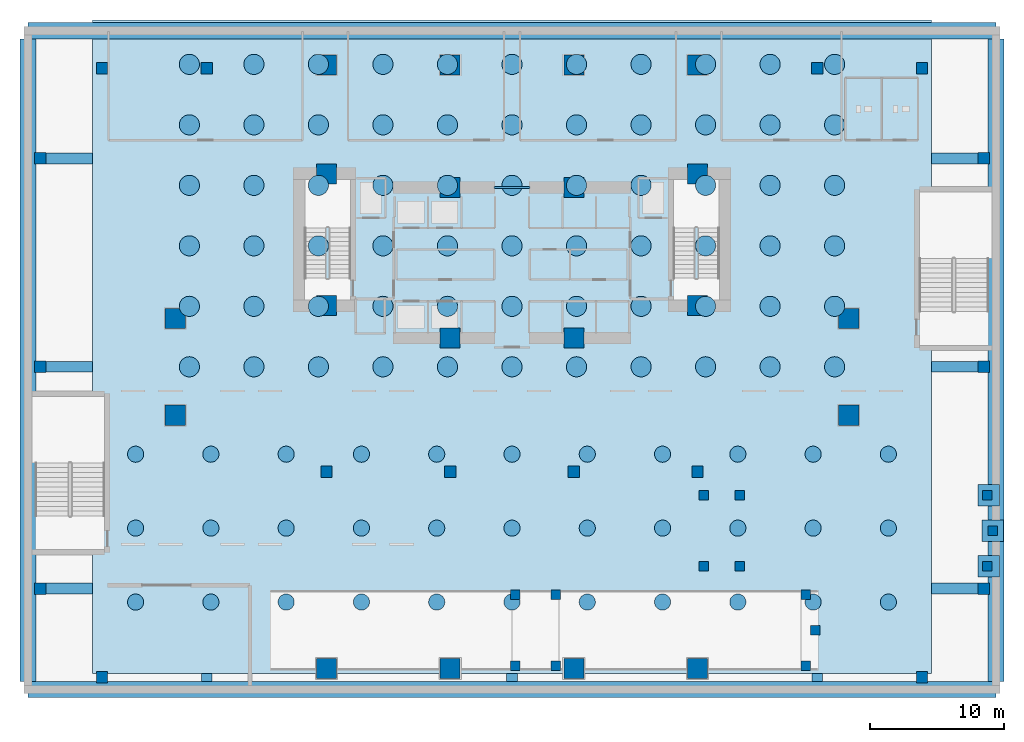
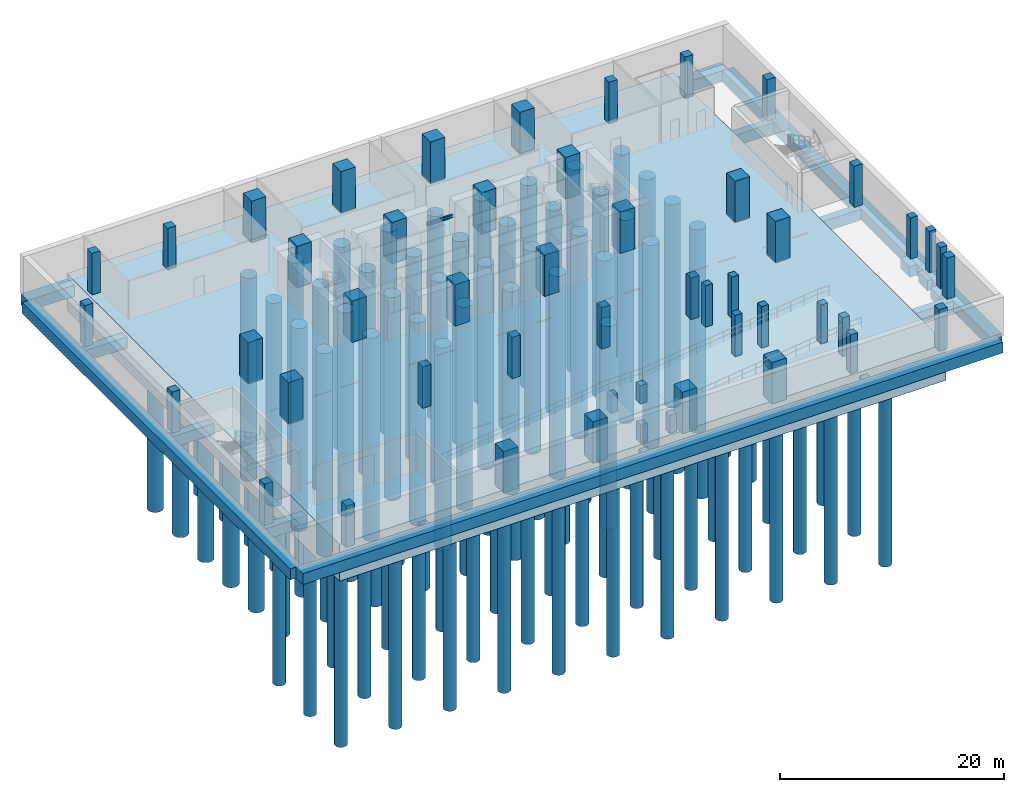
# One storey, part 1 of 13: 99 piles, 50 columns, 17 footings, 1 beam.
"""IFC4 building model written with IfcOpenShell, lengths in metres."""

from ifc_helpers import new_model, si_unit, direction, frame, origin, origin_2d, place, context, subcontext, project, spatial, polyline, rectangle, circle, i_section, outline, extrude, material, layer, layer_set, material_profile, profile_set, type_object, element, save


model = new_model("IFC4")

# Units and contexts
model_context = context("Model", 3, precision=1e-05, world=origin(), true_north=direction((0.0, 1.0)))
body_context = subcontext(model_context, "Body", "Model", "MODEL_VIEW")
ifc_project = project(units=[si_unit("LENGTHUNIT", "METRE"), si_unit("AREAUNIT", "SQUARE_METRE"), si_unit("VOLUMEUNIT", "CUBIC_METRE"), si_unit("PLANEANGLEUNIT", "RADIAN"), si_unit("MASSUNIT", "GRAM", prefix="KILO")], contexts=[model_context])

# Site, building, storey
site_placement = place(None, origin())
site = spatial("IfcSite", under=ifc_project, at=site_placement, CompositionType="ELEMENT")
building_placement = place(site_placement, origin())
building = spatial("IfcBuilding", under=site, at=building_placement, Name="Zuhayl Quay Hotel", CompositionType="ELEMENT")
storey_placement = place(building_placement, frame((0.0, 0.0, -9.0)))
storey = spatial("IfcBuildingStorey", under=building, at=storey_placement, Name="B2", CompositionType="ELEMENT", Elevation=-9.0)

# Footings
ifc_material_1 = material(Name="Concrete C50/60", Category="concrete")
footing_type_1 = type_object("IfcFootingType", Name="FT_GBEAM_800X1200", PredefinedType="FOOTING_BEAM", material=ifc_material_1)
footing_1_placement = place(storey_placement, frame((0.0, 0.0, -1.6201171875)))
element("IfcFooting", 1, at=footing_1_placement, inside=storey, type_object=footing_type_1, Name="Foundation Ground Beam FB1-01", PredefinedType="FOOTING_BEAM", context=body_context, shape_type="SweptSolid", body=[
    extrude(outline(polyline([(-35.39990234375, -16.89990234375), (-31.199951171875, -16.89990234375), (-31.199951171875, -16.10009765625), (-35.39990234375, -16.10009765625), (-35.39990234375, -16.89990234375)])), origin(), (0.0, 0.0, 1.0), 1.2001953125),
])
footing_2_placement = place(storey_placement, frame((0.0, 0.0, -1.6201171875)))
element("IfcFooting", 2, at=footing_2_placement, inside=storey, type_object=footing_type_1, Name="Foundation Ground Beam FB1-02", PredefinedType="FOOTING_BEAM", context=body_context, shape_type="SweptSolid", body=[
    extrude(outline(polyline([(31.199951171875, -16.89990234375), (35.39990234375, -16.89990234375), (35.39990234375, -16.10009765625), (31.199951171875, -16.10009765625), (31.199951171875, -16.89990234375)])), origin(), (0.0, 0.0, 1.0), 1.2001953125),
])
footing_3_placement = place(storey_placement, frame((0.0, 0.0, -1.6201171875)))
element("IfcFooting", 3, at=footing_3_placement, inside=storey, type_object=footing_type_1, Name="Foundation Ground Beam FB1-03", PredefinedType="FOOTING_BEAM", context=body_context, shape_type="SweptSolid", body=[
    extrude(outline(polyline([(-35.39990234375, -0.39990234375), (-31.199951171875, -0.39990234375), (-31.199951171875, 0.39990234375), (-35.39990234375, 0.39990234375), (-35.39990234375, -0.39990234375)])), origin(), (0.0, 0.0, 1.0), 1.2001953125),
])
footing_4_placement = place(storey_placement, frame((0.0, 0.0, -1.6201171875)))
element("IfcFooting", 4, at=footing_4_placement, inside=storey, type_object=footing_type_1, Name="Foundation Ground Beam FB1-04", PredefinedType="FOOTING_BEAM", context=body_context, shape_type="SweptSolid", body=[
    extrude(outline(polyline([(31.199951171875, -0.39990234375), (35.39990234375, -0.39990234375), (35.39990234375, 0.39990234375), (31.199951171875, 0.39990234375), (31.199951171875, -0.39990234375)])), origin(), (0.0, 0.0, 1.0), 1.2001953125),
])
footing_5_placement = place(storey_placement, frame((0.0, 0.0, -1.6201171875)))
element("IfcFooting", 5, at=footing_5_placement, inside=storey, type_object=footing_type_1, Name="Foundation Ground Beam FB1-05", PredefinedType="FOOTING_BEAM", context=body_context, shape_type="SweptSolid", body=[
    extrude(outline(polyline([(-35.39990234375, 15.10009765625), (-31.199951171875, 15.10009765625), (-31.199951171875, 15.89990234375), (-35.39990234375, 15.89990234375), (-35.39990234375, 15.10009765625)])), origin(), (0.0, 0.0, 1.0), 1.2001953125),
])
footing_6_placement = place(storey_placement, frame((0.0, 0.0, -1.6201171875)))
element("IfcFooting", 6, at=footing_6_placement, inside=storey, type_object=footing_type_1, Name="Foundation Ground Beam FB1-06", PredefinedType="FOOTING_BEAM", context=body_context, shape_type="SweptSolid", body=[
    extrude(outline(polyline([(31.199951171875, 15.10009765625), (35.39990234375, 15.10009765625), (35.39990234375, 15.89990234375), (31.199951171875, 15.89990234375), (31.199951171875, 15.10009765625)])), origin(), (0.0, 0.0, 1.0), 1.2001953125),
])
footing_7_placement = place(storey_placement, frame((0.0, 0.0, -1.6201171875)))
element("IfcFooting", 7, at=footing_7_placement, inside=storey, type_object=footing_type_1, Name="Foundation Ground Beam FB1-07", PredefinedType="FOOTING_BEAM", context=body_context, shape_type="SweptSolid", body=[
    extrude(outline(polyline([(-23.10009765625, -23.39990234375), (-22.300048828125, -23.39990234375), (-22.300048828125, -22.800048828125), (-23.10009765625, -22.800048828125), (-23.10009765625, -23.39990234375)])), origin(), (0.0, 0.0, 1.0), 1.2001953125),
])
footing_8_placement = place(storey_placement, frame((0.0, 0.0, -1.6201171875)))
element("IfcFooting", 8, at=footing_8_placement, inside=storey, type_object=footing_type_1, Name="Foundation Ground Beam FB1-08", PredefinedType="FOOTING_BEAM", context=body_context, shape_type="SweptSolid", body=[
    extrude(outline(polyline([(-0.39990234375, -23.39990234375), (0.39990234375, -23.39990234375), (0.39990234375, -22.800048828125), (-0.39990234375, -22.800048828125), (-0.39990234375, -23.39990234375)])), origin(), (0.0, 0.0, 1.0), 1.2001953125),
])
footing_9_placement = place(storey_placement, frame((0.0, 0.0, -1.6201171875)))
element("IfcFooting", 9, at=footing_9_placement, inside=storey, type_object=footing_type_1, Name="Foundation Ground Beam FB1-09", PredefinedType="FOOTING_BEAM", context=body_context, shape_type="SweptSolid", body=[
    extrude(outline(polyline([(22.300048828125, -23.39990234375), (23.10009765625, -23.39990234375), (23.10009765625, -22.800048828125), (22.300048828125, -22.800048828125), (22.300048828125, -23.39990234375)])), origin(), (0.0, 0.0, 1.0), 1.2001953125),
])
ifc_material_2 = material(Name="Concrete C60/75", Category="concrete")
ifc_layer_1 = layer(ifc_material_2, 1.14990234375, Name="Concrete C60/75", Category="concrete")
ifc_layer_set_1 = layer_set([ifc_layer_1], Name="Concrete C60/75")
footing_type_2 = type_object("IfcFootingType", Name="FT_PAD_1600", PredefinedType="PAD_FOOTING", material=ifc_layer_set_1)
for number, where, z_axis, x_axis, name in (
    (10, (35.449951171875, -14.85009765625, -1.570068359375), (0.0, 0.0, 1.0), (1.0, 0.0, 0.0), "Promenade Apron Support Pad RARR_FTG1"),
    (11, (35.449951171875, -9.550048828125, -1.570068359375), (0.0, 0.0, 1.0), (1.0, 0.0, 0.0), "Promenade Apron Support Pad RARR_FTG2"),
    (12, (35.75, -12.199951171875, -1.570068359375), (0.0, 0.0, 1.0), (1.0, 0.0, 0.0), "Promenade Apron Support Pad RARR_FTG3"),
):
    element("IfcFooting", number, at=place(storey_placement, frame(where, z_axis=z_axis, x_axis=x_axis)), inside=storey, type_object=footing_type_2, Name=name, PredefinedType="PAD_FOOTING", context=body_context, shape_type="SweptSolid", body=[
        extrude(rectangle(XDim=1.60009765625, YDim=1.60009765625, at=origin_2d()), origin(), (0.0, 0.0, 1.0), 1.14990234375),
    ])
ifc_layer_2 = layer(ifc_material_1, 4.0, Name="Concrete C50/60", Category="concrete")
ifc_layer_set_2 = layer_set([ifc_layer_2], Name="Concrete C50/60")
footing_type_3 = type_object("IfcFootingType", Name="FT_RAFT_4000", PredefinedType="USERDEFINED", material=ifc_layer_set_2)
footing_10_placement = place(storey_placement, frame((0.0, 0.0, -4.0)))
element("IfcFooting", 13, at=footing_10_placement, inside=storey, type_object=footing_type_3, Name="Piled Foundation Raft RF1", ObjectType="RAFT", PredefinedType="USERDEFINED", context=body_context, shape_type="SweptSolid", body=[
    extrude(outline(polyline([(-31.199951171875, -22.800048828125), (31.199951171875, -22.800048828125), (31.199951171875, 25.800048828125), (-31.199951171875, 25.800048828125), (-31.199951171875, -22.800048828125)])), origin(), (0.0, 0.0, 1.0), 4.0),
])
footing_type_4 = type_object("IfcFootingType", Name="FT_STRIP_1200", PredefinedType="STRIP_FOOTING", material=ifc_material_1)
footing_11_placement = place(storey_placement, frame((0.0, 0.0, -1.6201171875)))
element("IfcFooting", 14, at=footing_11_placement, inside=storey, type_object=footing_type_4, Name="Perimeter Strip Footing SF1_S", PredefinedType="STRIP_FOOTING", context=body_context, shape_type="SweptSolid", body=[
    extrude(outline(polyline([(-36.0, -24.60009765625), (36.0, -24.60009765625), (36.0, -23.39990234375), (-36.0, -23.39990234375), (-36.0, -24.60009765625)])), origin(), (0.0, 0.0, 1.0), 1.2001953125),
])
footing_12_placement = place(storey_placement, frame((0.0, 0.0, -1.6201171875)))
element("IfcFooting", 15, at=footing_12_placement, inside=storey, type_object=footing_type_4, Name="Perimeter Strip Footing SF1_N", PredefinedType="STRIP_FOOTING", context=body_context, shape_type="SweptSolid", body=[
    extrude(outline(polyline([(-36.0, 24.39990234375), (36.0, 24.39990234375), (36.0, 25.60009765625), (-36.0, 25.60009765625), (-36.0, 24.39990234375)])), origin(), (0.0, 0.0, 1.0), 1.2001953125),
])
footing_13_placement = place(storey_placement, frame((0.0, 0.0, -1.6201171875)))
element("IfcFooting", 16, at=footing_13_placement, inside=storey, type_object=footing_type_4, Name="Perimeter Strip Footing SF1_W", PredefinedType="STRIP_FOOTING", context=body_context, shape_type="SweptSolid", body=[
    extrude(outline(polyline([(-36.60009765625, -23.39990234375), (-35.39990234375, -23.39990234375), (-35.39990234375, 24.39990234375), (-36.60009765625, 24.39990234375), (-36.60009765625, -23.39990234375)])), origin(), (0.0, 0.0, 1.0), 1.2001953125),
])
footing_14_placement = place(storey_placement, frame((0.0, 0.0, -1.6201171875)))
element("IfcFooting", 17, at=footing_14_placement, inside=storey, type_object=footing_type_4, Name="Perimeter Strip Footing SF1_E", PredefinedType="STRIP_FOOTING", context=body_context, shape_type="SweptSolid", body=[
    extrude(outline(polyline([(35.39990234375, -23.39990234375), (36.60009765625, -23.39990234375), (36.60009765625, 24.39990234375), (35.39990234375, 24.39990234375), (35.39990234375, -23.39990234375)])), origin(), (0.0, 0.0, 1.0), 1.2001953125),
])

# Piles
ifc_material_profile_1 = material_profile(ifc_material_2, circle(Radius=0.60009765625, at=origin_2d()), Name="PILE1200")
ifc_profile_set_1 = profile_set([ifc_material_profile_1], Name="Concrete C60/75")
pile_type_1 = type_object("IfcPileType", Name="PL_BORED_1200", PredefinedType="BORED", material=ifc_profile_set_1)
for number, where, z_axis, x_axis, name in (
    (18, (-28.0, -17.5, -3.89990234375), (0.0, 0.0, -1.0), (1.0, 0.0, 0.0), "Bored Pile BP2-001"),
    (19, (-28.0, -12.0, -3.89990234375), (0.0, 0.0, -1.0), (1.0, 0.0, 0.0), "Bored Pile BP2-002"),
    (20, (-28.0, -6.5, -3.89990234375), (0.0, 0.0, -1.0), (1.0, 0.0, 0.0), "Bored Pile BP2-003"),
    (21, (-22.39990234375, -17.5, -3.89990234375), (0.0, 0.0, -1.0), (1.0, 0.0, 0.0), "Bored Pile BP2-004"),
    (22, (-22.39990234375, -12.0, -3.89990234375), (0.0, 0.0, -1.0), (1.0, 0.0, 0.0), "Bored Pile BP2-005"),
    (23, (-22.39990234375, -6.5, -3.89990234375), (0.0, 0.0, -1.0), (1.0, 0.0, 0.0), "Bored Pile BP2-006"),
    (24, (-16.800048828125, -17.5, -3.89990234375), (0.0, 0.0, -1.0), (1.0, 0.0, 0.0), "Bored Pile BP2-007"),
    (25, (-16.800048828125, -12.0, -3.89990234375), (0.0, 0.0, -1.0), (1.0, 0.0, 0.0), "Bored Pile BP2-008"),
    (26, (-16.800048828125, -6.5, -3.89990234375), (0.0, 0.0, -1.0), (1.0, 0.0, 0.0), "Bored Pile BP2-009"),
    (27, (-11.199951171875, -17.5, -3.89990234375), (0.0, 0.0, -1.0), (1.0, 0.0, 0.0), "Bored Pile BP2-010"),
    (28, (-11.199951171875, -12.0, -3.89990234375), (0.0, 0.0, -1.0), (1.0, 0.0, 0.0), "Bored Pile BP2-011"),
    (29, (-11.199951171875, -6.5, -3.89990234375), (0.0, 0.0, -1.0), (1.0, 0.0, 0.0), "Bored Pile BP2-012"),
    (30, (-5.60009765625, -17.5, -3.89990234375), (0.0, 0.0, -1.0), (1.0, 0.0, 0.0), "Bored Pile BP2-013"),
    (31, (-5.60009765625, -12.0, -3.89990234375), (0.0, 0.0, -1.0), (1.0, 0.0, 0.0), "Bored Pile BP2-014"),
    (32, (-5.60009765625, -6.5, -3.89990234375), (0.0, 0.0, -1.0), (1.0, 0.0, 0.0), "Bored Pile BP2-015"),
    (33, (0.0, -17.5, -3.89990234375), (0.0, 0.0, -1.0), (1.0, 0.0, 0.0), "Bored Pile BP2-016"),
    (34, (0.0, -12.0, -3.89990234375), (0.0, 0.0, -1.0), (1.0, 0.0, 0.0), "Bored Pile BP2-017"),
    (35, (0.0, -6.5, -3.89990234375), (0.0, 0.0, -1.0), (1.0, 0.0, 0.0), "Bored Pile BP2-018"),
    (36, (5.60009765625, -17.5, -3.89990234375), (0.0, 0.0, -1.0), (1.0, 0.0, 0.0), "Bored Pile BP2-019"),
    (37, (5.60009765625, -12.0, -3.89990234375), (0.0, 0.0, -1.0), (1.0, 0.0, 0.0), "Bored Pile BP2-020"),
    (38, (5.60009765625, -6.5, -3.89990234375), (0.0, 0.0, -1.0), (1.0, 0.0, 0.0), "Bored Pile BP2-021"),
    (39, (11.199951171875, -17.5, -3.89990234375), (0.0, 0.0, -1.0), (1.0, 0.0, 0.0), "Bored Pile BP2-022"),
    (40, (11.199951171875, -12.0, -3.89990234375), (0.0, 0.0, -1.0), (1.0, 0.0, 0.0), "Bored Pile BP2-023"),
    (41, (11.199951171875, -6.5, -3.89990234375), (0.0, 0.0, -1.0), (1.0, 0.0, 0.0), "Bored Pile BP2-024"),
    (42, (16.800048828125, -17.5, -3.89990234375), (0.0, 0.0, -1.0), (1.0, 0.0, 0.0), "Bored Pile BP2-025"),
    (43, (16.800048828125, -12.0, -3.89990234375), (0.0, 0.0, -1.0), (1.0, 0.0, 0.0), "Bored Pile BP2-026"),
    (44, (16.800048828125, -6.5, -3.89990234375), (0.0, 0.0, -1.0), (1.0, 0.0, 0.0), "Bored Pile BP2-027"),
    (45, (22.39990234375, -17.5, -3.89990234375), (0.0, 0.0, -1.0), (1.0, 0.0, 0.0), "Bored Pile BP2-028"),
    (46, (22.39990234375, -12.0, -3.89990234375), (0.0, 0.0, -1.0), (1.0, 0.0, 0.0), "Bored Pile BP2-029"),
    (47, (22.39990234375, -6.5, -3.89990234375), (0.0, 0.0, -1.0), (1.0, 0.0, 0.0), "Bored Pile BP2-030"),
    (48, (28.0, -17.5, -3.89990234375), (0.0, 0.0, -1.0), (1.0, 0.0, 0.0), "Bored Pile BP2-031"),
    (49, (28.0, -12.0, -3.89990234375), (0.0, 0.0, -1.0), (1.0, 0.0, 0.0), "Bored Pile BP2-032"),
    (50, (28.0, -6.5, -3.89990234375), (0.0, 0.0, -1.0), (1.0, 0.0, 0.0), "Bored Pile BP2-033"),
):
    element("IfcPile", number, at=place(storey_placement, frame(where, z_axis=z_axis, x_axis=x_axis)), inside=storey, type_object=pile_type_1, Name=name, PredefinedType="BORED", context=body_context, shape_type="SweptSolid", body=[
        extrude(circle(Radius=0.60009765625, at=origin_2d()), origin(), (0.0, 0.0, 1.0), 22.10009765625),
    ])
ifc_material_profile_2 = material_profile(ifc_material_2, circle(Radius=0.75, at=origin_2d()), Name="PILE1500")
ifc_profile_set_2 = profile_set([ifc_material_profile_2], Name="Concrete C60/75")
pile_type_2 = type_object("IfcPileType", Name="PL_BORED_1500", PredefinedType="BORED", material=ifc_profile_set_2)
for number, where, z_axis, x_axis, name in (
    (51, (-24.0, 0.0, -3.89990234375), (0.0, 0.0, -1.0), (1.0, 0.0, 0.0), "Bored Pile BP1-001"),
    (52, (-24.0, 4.5, -3.89990234375), (0.0, 0.0, -1.0), (1.0, 0.0, 0.0), "Bored Pile BP1-002"),
    (53, (-24.0, 9.0, -3.89990234375), (0.0, 0.0, -1.0), (1.0, 0.0, 0.0), "Bored Pile BP1-003"),
    (54, (-24.0, 13.5, -3.89990234375), (0.0, 0.0, -1.0), (1.0, 0.0, 0.0), "Bored Pile BP1-004"),
    (55, (-24.0, 18.0, -3.89990234375), (0.0, 0.0, -1.0), (1.0, 0.0, 0.0), "Bored Pile BP1-005"),
    (56, (-24.0, 22.5, -3.89990234375), (0.0, 0.0, -1.0), (1.0, 0.0, 0.0), "Bored Pile BP1-006"),
    (57, (-19.199951171875, 0.0, -3.89990234375), (0.0, 0.0, -1.0), (1.0, 0.0, 0.0), "Bored Pile BP1-007"),
    (58, (-19.199951171875, 4.5, -3.89990234375), (0.0, 0.0, -1.0), (1.0, 0.0, 0.0), "Bored Pile BP1-008"),
    (59, (-19.199951171875, 9.0, -3.89990234375), (0.0, 0.0, -1.0), (1.0, 0.0, 0.0), "Bored Pile BP1-009"),
    (60, (-19.199951171875, 13.5, -3.89990234375), (0.0, 0.0, -1.0), (1.0, 0.0, 0.0), "Bored Pile BP1-010"),
    (61, (-19.199951171875, 18.0, -3.89990234375), (0.0, 0.0, -1.0), (1.0, 0.0, 0.0), "Bored Pile BP1-011"),
    (62, (-19.199951171875, 22.5, -3.89990234375), (0.0, 0.0, -1.0), (1.0, 0.0, 0.0), "Bored Pile BP1-012"),
    (63, (-14.39990234375, 0.0, -3.89990234375), (0.0, 0.0, -1.0), (1.0, 0.0, 0.0), "Bored Pile BP1-013"),
    (64, (-14.39990234375, 4.5, -3.89990234375), (0.0, 0.0, -1.0), (1.0, 0.0, 0.0), "Bored Pile BP1-014"),
    (65, (-14.39990234375, 9.0, -3.89990234375), (0.0, 0.0, -1.0), (1.0, 0.0, 0.0), "Bored Pile BP1-015"),
    (66, (-14.39990234375, 13.5, -3.89990234375), (0.0, 0.0, -1.0), (1.0, 0.0, 0.0), "Bored Pile BP1-016"),
    (67, (-14.39990234375, 18.0, -3.89990234375), (0.0, 0.0, -1.0), (1.0, 0.0, 0.0), "Bored Pile BP1-017"),
    (68, (-14.39990234375, 22.5, -3.89990234375), (0.0, 0.0, -1.0), (1.0, 0.0, 0.0), "Bored Pile BP1-018"),
    (69, (-9.60009765625, 0.0, -3.89990234375), (0.0, 0.0, -1.0), (1.0, 0.0, 0.0), "Bored Pile BP1-019"),
    (70, (-9.60009765625, 4.5, -3.89990234375), (0.0, 0.0, -1.0), (1.0, 0.0, 0.0), "Bored Pile BP1-020"),
    (71, (-9.60009765625, 9.0, -3.89990234375), (0.0, 0.0, -1.0), (1.0, 0.0, 0.0), "Bored Pile BP1-021"),
    (72, (-9.60009765625, 13.5, -3.89990234375), (0.0, 0.0, -1.0), (1.0, 0.0, 0.0), "Bored Pile BP1-022"),
    (73, (-9.60009765625, 18.0, -3.89990234375), (0.0, 0.0, -1.0), (1.0, 0.0, 0.0), "Bored Pile BP1-023"),
    (74, (-9.60009765625, 22.5, -3.89990234375), (0.0, 0.0, -1.0), (1.0, 0.0, 0.0), "Bored Pile BP1-024"),
    (75, (-4.800048828125, 0.0, -3.89990234375), (0.0, 0.0, -1.0), (1.0, 0.0, 0.0), "Bored Pile BP1-025"),
    (76, (-4.800048828125, 4.5, -3.89990234375), (0.0, 0.0, -1.0), (1.0, 0.0, 0.0), "Bored Pile BP1-026"),
    (77, (-4.800048828125, 9.0, -3.89990234375), (0.0, 0.0, -1.0), (1.0, 0.0, 0.0), "Bored Pile BP1-027"),
    (78, (-4.800048828125, 13.5, -3.89990234375), (0.0, 0.0, -1.0), (1.0, 0.0, 0.0), "Bored Pile BP1-028"),
    (79, (-4.800048828125, 18.0, -3.89990234375), (0.0, 0.0, -1.0), (1.0, 0.0, 0.0), "Bored Pile BP1-029"),
    (80, (-4.800048828125, 22.5, -3.89990234375), (0.0, 0.0, -1.0), (1.0, 0.0, 0.0), "Bored Pile BP1-030"),
    (81, (0.0, 0.0, -3.89990234375), (0.0, 0.0, -1.0), (1.0, 0.0, 0.0), "Bored Pile BP1-031"),
    (82, (0.0, 4.5, -3.89990234375), (0.0, 0.0, -1.0), (1.0, 0.0, 0.0), "Bored Pile BP1-032"),
    (83, (0.0, 9.0, -3.89990234375), (0.0, 0.0, -1.0), (1.0, 0.0, 0.0), "Bored Pile BP1-033"),
    (84, (0.0, 13.5, -3.89990234375), (0.0, 0.0, -1.0), (1.0, 0.0, 0.0), "Bored Pile BP1-034"),
    (85, (0.0, 18.0, -3.89990234375), (0.0, 0.0, -1.0), (1.0, 0.0, 0.0), "Bored Pile BP1-035"),
    (86, (0.0, 22.5, -3.89990234375), (0.0, 0.0, -1.0), (1.0, 0.0, 0.0), "Bored Pile BP1-036"),
    (87, (4.800048828125, 0.0, -3.89990234375), (0.0, 0.0, -1.0), (1.0, 0.0, 0.0), "Bored Pile BP1-037"),
    (88, (4.800048828125, 4.5, -3.89990234375), (0.0, 0.0, -1.0), (1.0, 0.0, 0.0), "Bored Pile BP1-038"),
    (89, (4.800048828125, 9.0, -3.89990234375), (0.0, 0.0, -1.0), (1.0, 0.0, 0.0), "Bored Pile BP1-039"),
    (90, (4.800048828125, 13.5, -3.89990234375), (0.0, 0.0, -1.0), (1.0, 0.0, 0.0), "Bored Pile BP1-040"),
    (91, (4.800048828125, 18.0, -3.89990234375), (0.0, 0.0, -1.0), (1.0, 0.0, 0.0), "Bored Pile BP1-041"),
    (92, (4.800048828125, 22.5, -3.89990234375), (0.0, 0.0, -1.0), (1.0, 0.0, 0.0), "Bored Pile BP1-042"),
    (93, (9.60009765625, 0.0, -3.89990234375), (0.0, 0.0, -1.0), (1.0, 0.0, 0.0), "Bored Pile BP1-043"),
    (94, (9.60009765625, 4.5, -3.89990234375), (0.0, 0.0, -1.0), (1.0, 0.0, 0.0), "Bored Pile BP1-044"),
    (95, (9.60009765625, 9.0, -3.89990234375), (0.0, 0.0, -1.0), (1.0, 0.0, 0.0), "Bored Pile BP1-045"),
    (96, (9.60009765625, 13.5, -3.89990234375), (0.0, 0.0, -1.0), (1.0, 0.0, 0.0), "Bored Pile BP1-046"),
    (97, (9.60009765625, 18.0, -3.89990234375), (0.0, 0.0, -1.0), (1.0, 0.0, 0.0), "Bored Pile BP1-047"),
    (98, (9.60009765625, 22.5, -3.89990234375), (0.0, 0.0, -1.0), (1.0, 0.0, 0.0), "Bored Pile BP1-048"),
    (99, (14.39990234375, 0.0, -3.89990234375), (0.0, 0.0, -1.0), (1.0, 0.0, 0.0), "Bored Pile BP1-049"),
    (100, (14.39990234375, 4.5, -3.89990234375), (0.0, 0.0, -1.0), (1.0, 0.0, 0.0), "Bored Pile BP1-050"),
    (101, (14.39990234375, 9.0, -3.89990234375), (0.0, 0.0, -1.0), (1.0, 0.0, 0.0), "Bored Pile BP1-051"),
    (102, (14.39990234375, 13.5, -3.89990234375), (0.0, 0.0, -1.0), (1.0, 0.0, 0.0), "Bored Pile BP1-052"),
    (103, (14.39990234375, 18.0, -3.89990234375), (0.0, 0.0, -1.0), (1.0, 0.0, 0.0), "Bored Pile BP1-053"),
    (104, (14.39990234375, 22.5, -3.89990234375), (0.0, 0.0, -1.0), (1.0, 0.0, 0.0), "Bored Pile BP1-054"),
    (105, (19.199951171875, 0.0, -3.89990234375), (0.0, 0.0, -1.0), (1.0, 0.0, 0.0), "Bored Pile BP1-055"),
    (106, (19.199951171875, 4.5, -3.89990234375), (0.0, 0.0, -1.0), (1.0, 0.0, 0.0), "Bored Pile BP1-056"),
    (107, (19.199951171875, 9.0, -3.89990234375), (0.0, 0.0, -1.0), (1.0, 0.0, 0.0), "Bored Pile BP1-057"),
    (108, (19.199951171875, 13.5, -3.89990234375), (0.0, 0.0, -1.0), (1.0, 0.0, 0.0), "Bored Pile BP1-058"),
    (109, (19.199951171875, 18.0, -3.89990234375), (0.0, 0.0, -1.0), (1.0, 0.0, 0.0), "Bored Pile BP1-059"),
    (110, (19.199951171875, 22.5, -3.89990234375), (0.0, 0.0, -1.0), (1.0, 0.0, 0.0), "Bored Pile BP1-060"),
    (111, (24.0, 0.0, -3.89990234375), (0.0, 0.0, -1.0), (1.0, 0.0, 0.0), "Bored Pile BP1-061"),
    (112, (24.0, 4.5, -3.89990234375), (0.0, 0.0, -1.0), (1.0, 0.0, 0.0), "Bored Pile BP1-062"),
    (113, (24.0, 9.0, -3.89990234375), (0.0, 0.0, -1.0), (1.0, 0.0, 0.0), "Bored Pile BP1-063"),
    (114, (24.0, 13.5, -3.89990234375), (0.0, 0.0, -1.0), (1.0, 0.0, 0.0), "Bored Pile BP1-064"),
    (115, (24.0, 18.0, -3.89990234375), (0.0, 0.0, -1.0), (1.0, 0.0, 0.0), "Bored Pile BP1-065"),
    (116, (24.0, 22.5, -3.89990234375), (0.0, 0.0, -1.0), (1.0, 0.0, 0.0), "Bored Pile BP1-066"),
):
    element("IfcPile", number, at=place(storey_placement, frame(where, z_axis=z_axis, x_axis=x_axis)), inside=storey, type_object=pile_type_2, Name=name, PredefinedType="BORED", context=body_context, shape_type="SweptSolid", body=[
        extrude(circle(Radius=0.75, at=origin_2d()), origin(), (0.0, 0.0, 1.0), 22.10009765625),
    ])

# Columns
ifc_material_3 = material(Name="Concrete C70/85", Category="concrete")
ifc_material_profile_3 = material_profile(ifc_material_3, rectangle(XDim=1.5, YDim=1.5, at=origin_2d()), Name="RC1500X1500")
ifc_profile_set_3 = profile_set([ifc_material_profile_3], Name="Concrete C70/85")
column_type_1 = type_object("IfcColumnType", Name="CL_CC1_1500", PredefinedType="COLUMN", material=ifc_profile_set_3)
for number, where, z_axis, x_axis, name in (
    (117, (-13.800048828125, 14.35009765625, 0.0), (0.0, 0.0, 1.0), (1.0, 0.0, 0.0), "B2 Core Column CC_NW"),
    (118, (-4.60009765625, 13.35009765625, 0.0), (0.0, 0.0, 1.0), (1.0, 0.0, 0.0), "B2 Core Column CC_CNW"),
    (119, (4.60009765625, 13.35009765625, 0.0), (0.0, 0.0, 1.0), (1.0, 0.0, 0.0), "B2 Core Column CC_CNE"),
    (120, (13.800048828125, 14.35009765625, 0.0), (0.0, 0.0, 1.0), (1.0, 0.0, 0.0), "B2 Core Column CC_NE"),
    (121, (-13.800048828125, 4.550048828125, 0.0), (0.0, 0.0, 1.0), (1.0, 0.0, 0.0), "B2 Core Column CC_SW"),
    (122, (-4.60009765625, 2.14990234375, 0.0), (0.0, 0.0, 1.0), (1.0, 0.0, 0.0), "B2 Core Column CC_CSW"),
    (123, (4.60009765625, 2.14990234375, 0.0), (0.0, 0.0, 1.0), (1.0, 0.0, 0.0), "B2 Core Column CC_CSE"),
    (124, (13.800048828125, 4.550048828125, 0.0), (0.0, 0.0, 1.0), (1.0, 0.0, 0.0), "B2 Core Column CC_SE"),
):
    element("IfcColumn", number, at=place(storey_placement, frame(where, z_axis=z_axis, x_axis=x_axis)), inside=storey, type_object=column_type_1, Name=name, PredefinedType="COLUMN", context=body_context, shape_type="SweptSolid", body=[
        extrude(rectangle(XDim=1.5, YDim=1.5, at=origin_2d()), origin(), (0.0, 0.0, 1.0), 4.5),
    ])
ifc_material_profile_4 = material_profile(ifc_material_3, rectangle(XDim=1.5, YDim=1.5, at=origin_2d()), Name="RC1500X1500")
ifc_profile_set_4 = profile_set([ifc_material_profile_4], Name="Concrete C70/85")
column_type_2 = type_object("IfcColumnType", Name="CL_MC1_1500", PredefinedType="COLUMN", material=ifc_profile_set_4)
for number, where, z_axis, x_axis, name in (
    (125, (-13.800048828125, -22.449951171875, 0.0), (0.0, 0.0, 1.0), (1.0, 0.0, 0.0), "B2 Mega-Column MC_S1"),
    (126, (-4.60009765625, -22.449951171875, 0.0), (0.0, 0.0, 1.0), (1.0, 0.0, 0.0), "B2 Mega-Column MC_S2"),
    (127, (4.60009765625, -22.449951171875, 0.0), (0.0, 0.0, 1.0), (1.0, 0.0, 0.0), "B2 Mega-Column MC_S3"),
    (128, (13.800048828125, -22.449951171875, 0.0), (0.0, 0.0, 1.0), (1.0, 0.0, 0.0), "B2 Mega-Column MC_S4"),
    (129, (-13.800048828125, 22.449951171875, 0.0), (0.0, 0.0, 1.0), (1.0, 0.0, 0.0), "B2 Mega-Column MC_N1"),
    (130, (-4.60009765625, 22.449951171875, 0.0), (0.0, 0.0, 1.0), (1.0, 0.0, 0.0), "B2 Mega-Column MC_N2"),
    (131, (4.60009765625, 22.449951171875, 0.0), (0.0, 0.0, 1.0), (1.0, 0.0, 0.0), "B2 Mega-Column MC_N3"),
    (132, (13.800048828125, 22.449951171875, 0.0), (0.0, 0.0, 1.0), (1.0, 0.0, 0.0), "B2 Mega-Column MC_N4"),
    (133, (-25.050048828125, -3.60009765625, 0.0), (0.0, 0.0, 1.0), (1.0, 0.0, 0.0), "B2 Mega-Column MC_W1"),
    (134, (-25.050048828125, 3.60009765625, 0.0), (0.0, 0.0, 1.0), (1.0, 0.0, 0.0), "B2 Mega-Column MC_W2"),
    (135, (25.050048828125, -3.60009765625, 0.0), (0.0, 0.0, 1.0), (1.0, 0.0, 0.0), "B2 Mega-Column MC_E1"),
    (136, (25.050048828125, 3.60009765625, 0.0), (0.0, 0.0, 1.0), (1.0, 0.0, 0.0), "B2 Mega-Column MC_E2"),
):
    element("IfcColumn", number, at=place(storey_placement, frame(where, z_axis=z_axis, x_axis=x_axis)), inside=storey, type_object=column_type_2, Name=name, PredefinedType="COLUMN", context=body_context, shape_type="SweptSolid", body=[
        extrude(rectangle(XDim=1.5, YDim=1.5, at=origin_2d()), origin(), (0.0, 0.0, 1.0), 4.5),
    ])
ifc_material_profile_5 = material_profile(ifc_material_1, rectangle(XDim=0.85009765625, YDim=0.85009765625, at=origin_2d()), Name="RC850X850")
ifc_profile_set_5 = profile_set([ifc_material_profile_5], Name="Concrete C50/60")
column_type_3 = type_object("IfcColumnType", Name="CL_PC1_850", PredefinedType="COLUMN", material=ifc_profile_set_5)
for number, where, z_axis, x_axis, name in (
    (137, (-30.5, -23.10009765625, 0.0), (0.0, 0.0, 1.0), (1.0, 0.0, 0.0), "B2 Podium Column PC_SW"),
    (138, (30.5, -23.10009765625, 0.0), (0.0, 0.0, 1.0), (1.0, 0.0, 0.0), "B2 Podium Column PC_SE"),
    (139, (-30.5, 22.199951171875, 0.0), (0.0, 0.0, 1.0), (1.0, 0.0, 0.0), "B2 Podium Column PC_NW"),
    (140, (30.5, 22.199951171875, 0.0), (0.0, 0.0, 1.0), (1.0, 0.0, 0.0), "B2 Podium Column PC_NE"),
    (141, (-35.10009765625, -16.5, 0.0), (0.0, 0.0, 1.0), (1.0, 0.0, 0.0), "B2 Podium Column PC_W1"),
    (142, (-35.10009765625, 0.0, 0.0), (0.0, 0.0, 1.0), (1.0, 0.0, 0.0), "B2 Podium Column PC_W2"),
    (143, (-35.10009765625, 15.5, 0.0), (0.0, 0.0, 1.0), (1.0, 0.0, 0.0), "B2 Podium Column PC_W3"),
    (144, (35.10009765625, -16.5, 0.0), (0.0, 0.0, 1.0), (1.0, 0.0, 0.0), "B2 Podium Column PC_E1"),
    (145, (35.10009765625, 0.0, 0.0), (0.0, 0.0, 1.0), (1.0, 0.0, 0.0), "B2 Podium Column PC_E2"),
    (146, (35.10009765625, 15.5, 0.0), (0.0, 0.0, 1.0), (1.0, 0.0, 0.0), "B2 Podium Column PC_E3"),
    (147, (-22.699951171875, 22.199951171875, 0.0), (0.0, 0.0, 1.0), (1.0, 0.0, 0.0), "B2 Podium Column PC_N1"),
    (148, (22.699951171875, 22.199951171875, 0.0), (0.0, 0.0, 1.0), (1.0, 0.0, 0.0), "B2 Podium Column PC_N2"),
    (149, (-13.800048828125, -7.800048828125, 0.0), (0.0, 0.0, 1.0), (1.0, 0.0, 0.0), "B2 Podium Column BC_C1"),
    (150, (-4.60009765625, -7.800048828125, 0.0), (0.0, 0.0, 1.0), (1.0, 0.0, 0.0), "B2 Podium Column BC_C2"),
    (151, (4.60009765625, -7.800048828125, 0.0), (0.0, 0.0, 1.0), (1.0, 0.0, 0.0), "B2 Podium Column BC_C3"),
    (152, (13.800048828125, -7.800048828125, 0.0), (0.0, 0.0, 1.0), (1.0, 0.0, 0.0), "B2 Podium Column BC_C4"),
):
    element("IfcColumn", number, at=place(storey_placement, frame(where, z_axis=z_axis, x_axis=x_axis)), inside=storey, type_object=column_type_3, Name=name, PredefinedType="COLUMN", context=body_context, shape_type="SweptSolid", body=[
        extrude(rectangle(XDim=0.85009765625, YDim=0.85009765625, at=origin_2d()), origin(), (0.0, 0.0, 1.0), 4.5),
    ])
ifc_material_profile_6 = material_profile(ifc_material_1, rectangle(XDim=0.699951171875, YDim=0.699951171875, at=origin_2d()), Name="RC700X700")
ifc_profile_set_6 = profile_set([ifc_material_profile_6], Name="Concrete C50/60")
column_type_4 = type_object("IfcColumnType", Name="CL_PC2_700", PredefinedType="COLUMN", material=ifc_profile_set_6)
for number, where, z_axis, x_axis, name in (
    (153, (0.25, -22.25, 0.0), (0.0, 0.0, 1.0), (1.0, 0.0, 0.0), "B2 Vehicle Ramp Support Column 1"),
    (154, (3.25, -22.25, 0.0), (0.0, 0.0, 1.0), (1.0, 0.0, 0.0), "B2 Vehicle Ramp Support Column 2"),
    (155, (0.25, -16.949951171875, 0.0), (0.0, 0.0, 1.0), (1.0, 0.0, 0.0), "B2 Vehicle Ramp Support Column 3"),
    (156, (3.25, -16.949951171875, 0.0), (0.0, 0.0, 1.0), (1.0, 0.0, 0.0), "B2 Vehicle Ramp Support Column 4"),
):
    element("IfcColumn", number, at=place(storey_placement, frame(where, z_axis=z_axis, x_axis=x_axis)), inside=storey, type_object=column_type_4, Name=name, PredefinedType="COLUMN", context=body_context, shape_type="SweptSolid", body=[
        extrude(rectangle(XDim=0.699951171875, YDim=0.699951171875, at=origin_2d()), origin(), (0.0, 0.0, 1.0), 1.969970703125),
    ])
for number, where, z_axis, x_axis, name in (
    (157, (14.25, -14.85009765625, 0.0), (0.0, 0.0, 1.0), (1.0, 0.0, 0.0), "B2 Sub-Ramp Support Column 1"),
    (158, (16.949951171875, -14.85009765625, 0.0), (0.0, 0.0, 1.0), (1.0, 0.0, 0.0), "B2 Sub-Ramp Support Column 2"),
    (159, (14.25, -9.550048828125, 0.0), (0.0, 0.0, 1.0), (1.0, 0.0, 0.0), "B2 Sub-Ramp Support Column 3"),
    (160, (16.949951171875, -9.550048828125, 0.0), (0.0, 0.0, 1.0), (1.0, 0.0, 0.0), "B2 Sub-Ramp Support Column 4"),
):
    element("IfcColumn", number, at=place(storey_placement, frame(where, z_axis=z_axis, x_axis=x_axis)), inside=storey, type_object=column_type_4, Name=name, PredefinedType="COLUMN", context=body_context, shape_type="SweptSolid", body=[
        extrude(rectangle(XDim=0.699951171875, YDim=0.699951171875, at=origin_2d()), origin(), (0.0, 0.0, 1.0), 4.5),
    ])
for number, where, z_axis, x_axis, name in (
    (161, (21.85009765625, -22.25, 0.0), (0.0, 0.0, 1.0), (1.0, 0.0, 0.0), "B2 Ramp Arrival Support Column 1"),
    (162, (22.550048828125, -19.60009765625, 0.0), (0.0, 0.0, 1.0), (1.0, 0.0, 0.0), "B2 Ramp Arrival Support Column 2"),
    (163, (21.85009765625, -16.949951171875, 0.0), (0.0, 0.0, 1.0), (1.0, 0.0, 0.0), "B2 Ramp Arrival Support Column 3"),
):
    element("IfcColumn", number, at=place(storey_placement, frame(where, z_axis=z_axis, x_axis=x_axis)), inside=storey, type_object=column_type_4, Name=name, PredefinedType="COLUMN", context=body_context, shape_type="SweptSolid", body=[
        extrude(rectangle(XDim=0.699951171875, YDim=0.699951171875, at=origin_2d()), origin(), (0.0, 0.0, 1.0), 4.219970703125),
    ])
for number, where, z_axis, x_axis, name in (
    (164, (35.35009765625, -14.85009765625, 0.0), (0.0, 0.0, 1.0), (1.0, 0.0, 0.0), "B2 Grade Ramp Arrival Column 1"),
    (165, (35.35009765625, -9.550048828125, 0.0), (0.0, 0.0, 1.0), (1.0, 0.0, 0.0), "B2 Grade Ramp Arrival Column 2"),
    (166, (35.75, -12.199951171875, 0.0), (0.0, 0.0, 1.0), (1.0, 0.0, 0.0), "B2 Grade Ramp Arrival Column 3"),
):
    element("IfcColumn", number, at=place(storey_placement, frame(where, z_axis=z_axis, x_axis=x_axis)), inside=storey, type_object=column_type_4, Name=name, PredefinedType="COLUMN", context=body_context, shape_type="SweptSolid", body=[
        extrude(rectangle(XDim=0.699951171875, YDim=0.699951171875, at=origin_2d()), origin(), (0.0, 0.0, 1.0), 4.5),
    ])

# Beam
ifc_material_4 = material(Name="Steel ASTM A992 Grade 50", Category="steel")
ifc_material_profile_7 = material_profile(ifc_material_4, i_section(OverallWidth=0.1650390625, OverallDepth=0.31005859375, WebThickness=0.005859375, FlangeThickness=0.009765625, at=origin_2d()), Name="W12X26")
ifc_profile_set_7 = profile_set([ifc_material_profile_7], Name="Steel ASTM A992 Grade 50")
beam_type = type_object("IfcBeamType", Name="BM_LN1_W12X26", PredefinedType="LINTEL", material=ifc_profile_set_7)
beam_placement = place(storey_placement, frame((-1.35009765625, 13.35009765625, 2.449951171875), z_axis=(1.0, 0.0, 0.0), x_axis=(0.0, 1.0, 0.0)))
element("IfcBeam", 167, at=beam_placement, inside=storey, type_object=beam_type, Name="B2 Core Portal Header Steel Lintel LN1-1", PredefinedType="LINTEL", context=body_context, shape_type="SweptSolid", body=[
    extrude(i_section(OverallWidth=0.1650390625, OverallDepth=0.31005859375, WebThickness=0.005859375, FlangeThickness=0.009765625, at=origin_2d()), origin(), (0.0, 0.0, 1.0), 2.7001953125),
])

save(model, "model.ifc")
